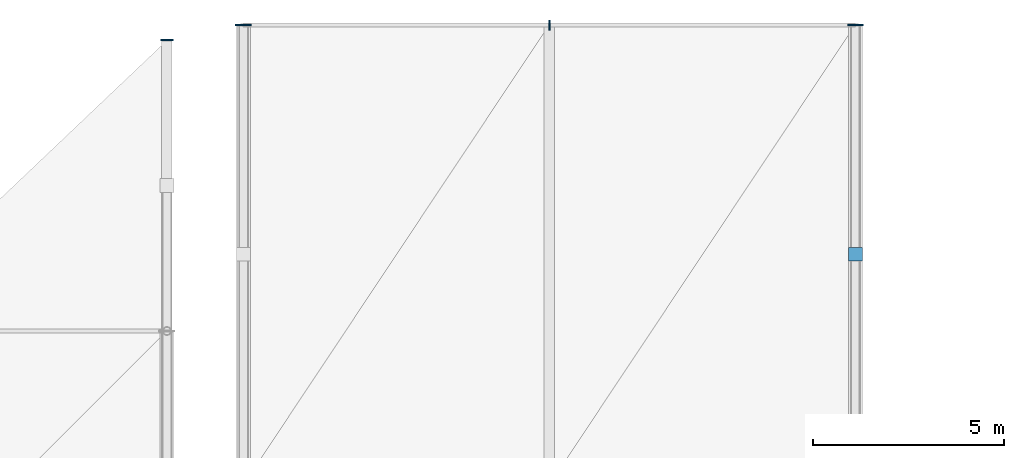
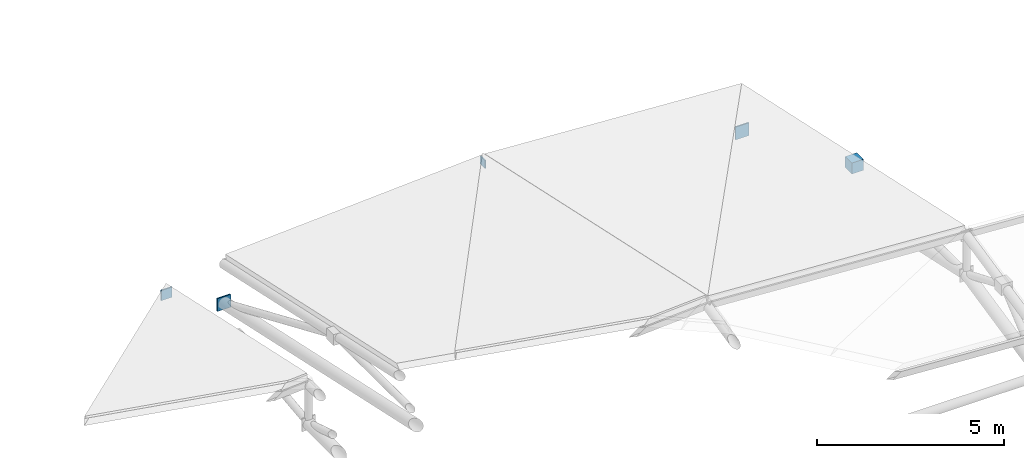
# One storey, part 23 of 27: 5 discrete accessories.
"""IFC4 building model written with IfcOpenShell, lengths in metres."""

from ifc_helpers import new_model, si_unit, direction, frame, origin, origin_2d, place, context, subcontext, project, spatial, rectangle, extrude, material, type_object, element, save


model = new_model("IFC4")

# Units and contexts
model_context = context("Model", 3, precision=1e-05, world=origin(), true_north=direction((0.0, 1.0)))
body_context = subcontext(model_context, "Body", "Model", "MODEL_VIEW")
ifc_project = project(units=[si_unit("LENGTHUNIT", "METRE"), si_unit("AREAUNIT", "SQUARE_METRE"), si_unit("VOLUMEUNIT", "CUBIC_METRE"), si_unit("PLANEANGLEUNIT", "RADIAN"), si_unit("MASSUNIT", "GRAM", prefix="KILO")], contexts=[model_context])

# Site, building, storey
site_placement = place(None, origin())
site = spatial("IfcSite", under=ifc_project, at=site_placement, CompositionType="ELEMENT")
building_placement = place(site_placement, origin())
building = spatial("IfcBuilding", under=site, at=building_placement, Name="Drelvath Fold Interchange", CompositionType="ELEMENT")
storey_placement = place(building_placement, frame((0.0, 0.0, 19.800048828125)))
storey = spatial("IfcBuildingStorey", under=building, at=storey_placement, Name="L04", CompositionType="ELEMENT", Elevation=19.800048828125)

# Discrete accessories
ifc_material = material(Name="Steel ASTM A572 Grade 50", Category="steel")
discrete_accessory_type = type_object("IfcDiscreteAccessoryType", Name="AC-CAP380", PredefinedType="BRACKET", material=ifc_material)
discrete_accessory_1_placement = place(storey_placement, frame((100.0, 58.60498046875, -0.24951171875), z_axis=(0.0, 0.0, 1.0), x_axis=(1.0, 0.0, 0.0)))
element("IfcDiscreteAccessory", 1, at=discrete_accessory_1_placement, inside=storey, type_object=discrete_accessory_type, Name="Welded hollow member end cap 180", PredefinedType="BRACKET", context=body_context, shape_type="SweptSolid", body=[
    extrude(rectangle(XDim=0.3330078125, YDim=0.0400390625, at=origin_2d()), origin(), (0.0, 0.0, 1.0), 0.3330078125),
])
for number, where, z_axis, x_axis, name in (
    (2, (102.0, 59.0048828125, -1.528076171875), (0.0, 0.0, 1.0), (1.0, 0.0, 0.0), "Welded hollow member end cap 191"),
    (3, (118.0, 59.0048828125, -1.528076171875), (0.0, 0.0, 1.0), (1.0, 0.0, 0.0), "Welded hollow member end cap 207"),
):
    element("IfcDiscreteAccessory", number, at=place(storey_placement, frame(where, z_axis=z_axis, x_axis=x_axis)), inside=storey, type_object=discrete_accessory_type, Name=name, PredefinedType="BRACKET", context=body_context, shape_type="SweptSolid", body=[
        extrude(rectangle(XDim=0.416015625, YDim=0.0400390625, at=origin_2d()), origin(), (0.0, 0.0, 1.0), 0.416015625),
    ])
discrete_accessory_2_placement = place(storey_placement, frame((118.0, 53.0048828125, 1.07958984375), z_axis=(0.0, 0.0, 1.0), x_axis=(1.0, 0.0, 0.0)))
element("IfcDiscreteAccessory", 4, at=discrete_accessory_2_placement, inside=storey, type_object=discrete_accessory_type, Name="Welded hollow member end cap 208", PredefinedType="BRACKET", context=body_context, shape_type="SweptSolid", body=[
    extrude(rectangle(XDim=0.35888671875, YDim=0.35888671875, at=origin_2d()), origin(), (0.0, 0.0, 1.0), 0.35888671875),
])
discrete_accessory_3_placement = place(storey_placement, frame((110.0048828125, 59.0, 0.33251953125), z_axis=(0.0, 0.0, 1.0), x_axis=(1.0, 0.0, 0.0)))
element("IfcDiscreteAccessory", 5, at=discrete_accessory_3_placement, inside=storey, type_object=discrete_accessory_type, Name="Welded hollow member end cap 282", PredefinedType="BRACKET", context=body_context, shape_type="SweptSolid", body=[
    extrude(rectangle(XDim=0.0400390625, YDim=0.262939453125, at=origin_2d()), origin(), (0.0, 0.0, 1.0), 0.262939453125),
])

save(model, "model.ifc")
